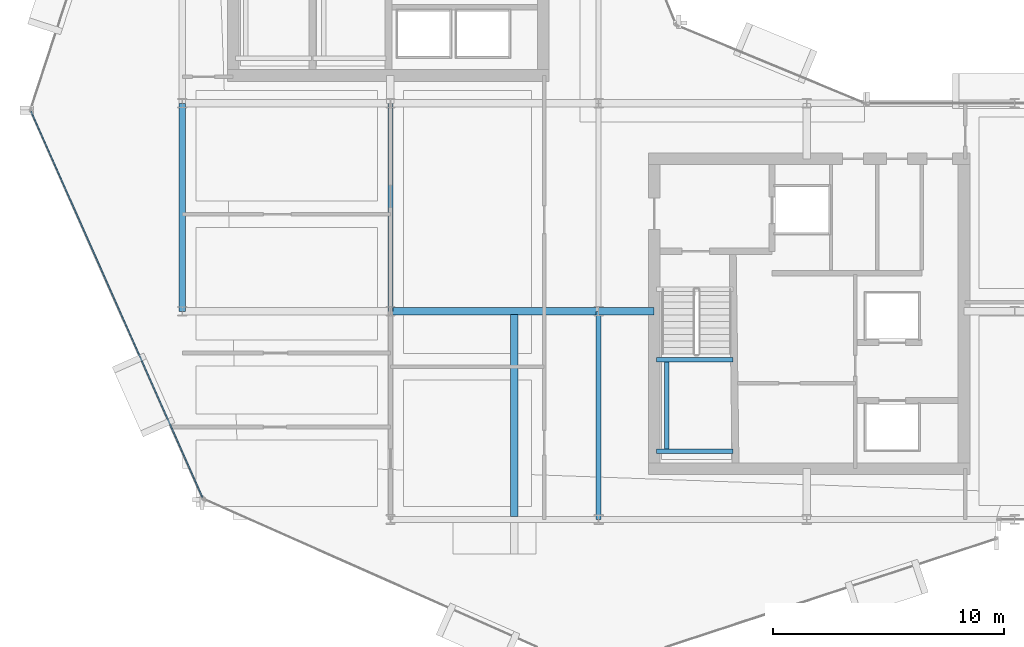
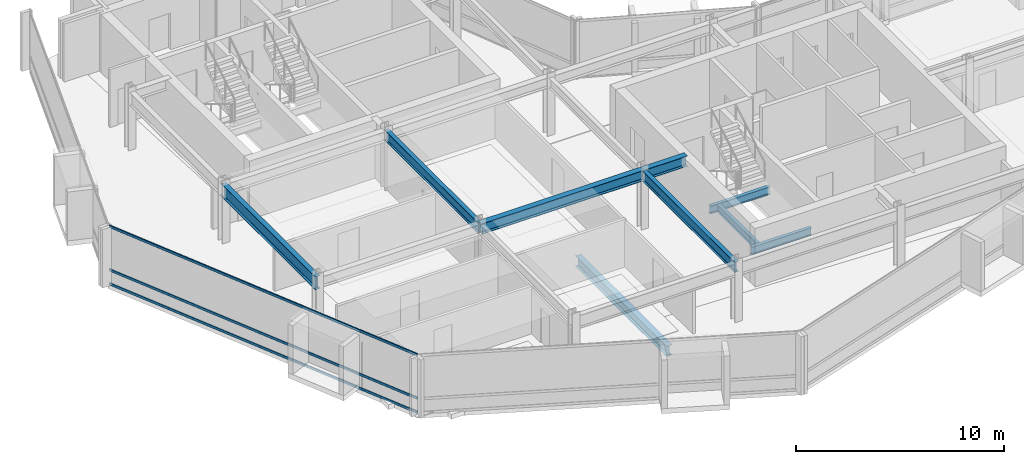
# One storey, part 5 of 27: 9 beams, 3 members, 1 element without a shape of its own.
"""IFC4 building model written with IfcOpenShell, lengths in metres."""

from ifc_helpers import new_model, si_unit, direction, frame, origin, origin_2d, place, context, subcontext, project, spatial, hollow_rectangle, i_section, extrude, material, layer, layer_set, material_profile, profile_set, type_object, element, aggregate, save


model = new_model("IFC4")

# Units and contexts
model_context = context("Model", 3, precision=1e-05, world=origin(), true_north=direction((0.0, 1.0)))
body_context = subcontext(model_context, "Body", "Model", "MODEL_VIEW")
ifc_project = project(units=[si_unit("LENGTHUNIT", "METRE"), si_unit("AREAUNIT", "SQUARE_METRE"), si_unit("VOLUMEUNIT", "CUBIC_METRE"), si_unit("PLANEANGLEUNIT", "RADIAN"), si_unit("MASSUNIT", "GRAM", prefix="KILO")], contexts=[model_context])

# Site, building, storey
site_placement = place(None, origin())
site = spatial("IfcSite", under=ifc_project, at=site_placement, CompositionType="ELEMENT")
building_placement = place(site_placement, origin())
building = spatial("IfcBuilding", under=site, at=building_placement, Name="Solvaryn Broadcast Tower", CompositionType="ELEMENT")
storey_placement = place(building_placement, frame((0.0, 0.0, 185.300048828125)))
storey = spatial("IfcBuildingStorey", under=building, at=storey_placement, Name="L46", CompositionType="ELEMENT", Elevation=185.300048828125)

# Beams
ifc_material_1 = material(Name="Steel ASTM A992 Grade 50", Category="steel")
ifc_material_profile_1 = material_profile(ifc_material_1, i_section(OverallWidth=0.323974609375, OverallDepth=0.611083984375, WebThickness=0.0126953125, FlangeThickness=0.01904296875, FilletRadius=0.014892578125, at=origin_2d()))
ifc_profile_set_1 = profile_set([ifc_material_profile_1], Name="Steel ASTM A992 Grade 50")
beam_type_1 = type_object("IfcBeamType", Name="BM-B1-W24X104", PredefinedType="BEAM", material=ifc_profile_set_1)
beam_1_placement = place(storey_placement, frame((23.35009765625, 17.875, -0.58544921875), z_axis=(0.0, -1.0, 0.0), x_axis=(1.0, 0.0, 0.0)))
element("IfcBeam", 1, at=beam_1_placement, inside=storey, type_object=beam_type_1, Name="L46 Bay-Box Back-Span Beam 1", PredefinedType="BEAM", context=body_context, shape_type="SweptSolid", body=[
    extrude(i_section(OverallWidth=0.323974609375, OverallDepth=0.611083984375, WebThickness=0.0126953125, FlangeThickness=0.01904296875, FilletRadius=0.014892578125, at=origin_2d()), origin(), (0.0, 0.0, 1.0), 8.75),
])
beam_2_placement = place(storey_placement, frame((18.0, 18.0, 3.114501953125), z_axis=(1.0, 0.0, 0.0), x_axis=(0.0, 1.0, 0.0)))
element("IfcBeam", 2, at=beam_2_placement, inside=storey, type_object=beam_type_1, Name="L46 Primary Beam X (18-27 @ Y=18)", PredefinedType="BEAM", context=body_context, shape_type="SweptSolid", body=[
    extrude(i_section(OverallWidth=0.323974609375, OverallDepth=0.611083984375, WebThickness=0.0126953125, FlangeThickness=0.01904296875, FilletRadius=0.014892578125, at=origin_2d()), origin(), (0.0, 0.0, 1.0), 9.0),
])
beam_3_placement = place(storey_placement, frame((27.0, 18.0, 3.114501953125), z_axis=(1.0, 0.0, 0.0), x_axis=(0.0, 1.0, 0.0)))
element("IfcBeam", 3, at=beam_3_placement, inside=storey, type_object=beam_type_1, Name="L46 Core Tie Beam CTE4", PredefinedType="BEAM", context=body_context, shape_type="SweptSolid", body=[
    extrude(i_section(OverallWidth=0.323974609375, OverallDepth=0.611083984375, WebThickness=0.0126953125, FlangeThickness=0.01904296875, FilletRadius=0.014892578125, at=origin_2d()), origin(), (0.0, 0.0, 1.0), 2.39990234375),
])
ifc_material_2 = material(Name="Steel ASTM A992 Grade 50", Category="steel")
ifc_material_profile_2 = material_profile(ifc_material_2, i_section(OverallWidth=0.22802734375, OverallDepth=0.60791015625, WebThickness=0.01123046875, FlangeThickness=0.017333984375, FilletRadius=0.014892578125, at=origin_2d()))
ifc_profile_set_2 = profile_set([ifc_material_profile_2], Name="Steel ASTM A992 Grade 50")
beam_type_2 = type_object("IfcBeamType", Name="BM-B2-W24X76", PredefinedType="BEAM", material=ifc_profile_set_2)
for number, where, z_axis, x_axis, name in (
    (4, (18.0, 18.0, 3.115966796875), (0.0, 1.0, 0.0), (-1.0, 0.0, 0.0), "L46 Primary Beam Y (18-27 @ X=18)"),
    (5, (27.0, 9.0, 3.115966796875), (0.0, 1.0, 0.0), (-1.0, 0.0, 0.0), "L46 Primary Beam Y (9-18 @ X=27)"),
):
    element("IfcBeam", number, at=place(storey_placement, frame(where, z_axis=z_axis, x_axis=x_axis)), inside=storey, type_object=beam_type_2, Name=name, PredefinedType="BEAM", context=body_context, shape_type="SweptSolid", body=[
        extrude(i_section(OverallWidth=0.22802734375, OverallDepth=0.60791015625, WebThickness=0.01123046875, FlangeThickness=0.017333984375, FilletRadius=0.014892578125, at=origin_2d()), origin(), (0.0, 0.0, 1.0), 9.0),
    ])
ifc_material_3 = material(Name="Steel ASTM A992 Grade 50", Category="steel")
ifc_material_profile_3 = material_profile(ifc_material_3, i_section(OverallWidth=0.18994140625, OverallDepth=0.45703125, WebThickness=0.009033203125, FlangeThickness=0.014404296875, FilletRadius=0.011962890625, at=origin_2d()))
ifc_profile_set_3 = profile_set([ifc_material_profile_3], Name="Steel ASTM A992 Grade 50")
beam_type_3 = type_object("IfcBeamType", Name="BM-B4-W18X50", PredefinedType="BEAM", material=ifc_profile_set_3)
for number, where, z_axis, x_axis, name in (
    (6, (29.5, 11.949951171875, 1.42138671875), (1.0, 0.0, 0.0), (0.0, 1.0, 0.0), "L46 ST3 Landing Support Beam 1A"),
    (7, (29.5, 15.909912109375, 1.42138671875), (1.0, 0.0, 0.0), (0.0, 1.0, 0.0), "L46 ST3 Landing Support Beam 1B"),
):
    element("IfcBeam", number, at=place(storey_placement, frame(where, z_axis=z_axis, x_axis=x_axis)), inside=storey, type_object=beam_type_3, Name=name, PredefinedType="BEAM", context=body_context, shape_type="SweptSolid", body=[
        extrude(i_section(OverallWidth=0.18994140625, OverallDepth=0.45703125, WebThickness=0.009033203125, FlangeThickness=0.014404296875, FilletRadius=0.011962890625, at=origin_2d()), origin(), (0.0, 0.0, 1.0), 3.320068359375),
    ])
beam_4_placement = place(storey_placement, frame((29.949951171875, 11.949951171875, 1.42138671875), z_axis=(0.0, 1.0, 0.0), x_axis=(-1.0, 0.0, 0.0)))
element("IfcBeam", 8, at=beam_4_placement, inside=storey, type_object=beam_type_3, Name="L46 ST3 Landing Cross Stringer 1C", PredefinedType="BEAM", context=body_context, shape_type="SweptSolid", body=[
    extrude(i_section(OverallWidth=0.18994140625, OverallDepth=0.45703125, WebThickness=0.009033203125, FlangeThickness=0.014404296875, FilletRadius=0.011962890625, at=origin_2d()), origin(), (0.0, 0.0, 1.0), 3.9599609375),
])
ifc_material_4 = material(Name="Steel ASTM A992 Grade 50", Category="steel")
ifc_material_profile_4 = material_profile(ifc_material_4, i_section(OverallWidth=0.26708984375, OverallDepth=0.76611328125, WebThickness=0.014892578125, FlangeThickness=0.023681640625, FilletRadius=0.01806640625, at=origin_2d()))
ifc_profile_set_4 = profile_set([ifc_material_profile_4], Name="Steel ASTM A992 Grade 50")
beam_type_4 = type_object("IfcBeamType", Name="BM-SP2-W30X124", PredefinedType="USERDEFINED", material=ifc_profile_set_4)
beam_5_placement = place(storey_placement, frame((9.0, 18.0, 3.036865234375), z_axis=(0.0, 1.0, 0.0), x_axis=(-1.0, 0.0, 0.0)))
element("IfcBeam", 9, at=beam_5_placement, inside=storey, type_object=beam_type_4, Name="L46 Spandrel Beam Y (18-27 @ X=9)", ObjectType="SPANDREL", PredefinedType="USERDEFINED", context=body_context, shape_type="SweptSolid", body=[
    extrude(i_section(OverallWidth=0.26708984375, OverallDepth=0.76611328125, WebThickness=0.014892578125, FlangeThickness=0.023681640625, FilletRadius=0.01806640625, at=origin_2d()), origin(), (0.0, 0.0, 1.0), 9.0),
])

# Curtain wall, members
ifc_material_5 = material(Name="Aluminium and Terracotta Unitised Curtain Wall", Category="masonry")
ifc_layer = layer(ifc_material_5, 0.239990234375)
ifc_layer_set = layer_set([ifc_layer], Name="CW-SYS3-BAYBOX")
curtain_wall_type = type_object("IfcCurtainWallType", Name="CW-SYS3-BAYBOX", PredefinedType="NOTDEFINED", material=ifc_layer_set)
curtain_wall_placement = place(storey_placement, origin())
curtain_wall = element("IfcCurtainWall", 10, at=curtain_wall_placement, inside=storey, type_object=curtain_wall_type, Name="L46 Curtain Wall DR2", PredefinedType="NOTDEFINED")
ifc_material_6 = material(Name="Anodised Aluminium 6063-T6", Category="aluminium")
ifc_material_profile_5 = material_profile(ifc_material_6, hollow_rectangle(XDim=0.06494140625, YDim=0.14990234375, WallThickness=0.00390625, InnerFilletRadius=0.00390625, OuterFilletRadius=0.008056640625, at=origin_2d()))
ifc_profile_set_5 = profile_set([ifc_material_profile_5], Name="Anodised Aluminium 6063-T6")
member_type = type_object("IfcMemberType", Name="CW-TRN-150", PredefinedType="USERDEFINED", material=ifc_profile_set_5)
member_1_placement = place(storey_placement, frame((2.457275390625, 26.651123046875, 0.030029296875), z_axis=(0.405901653299, -0.913916761992, 0.0), x_axis=(0.913916761992, 0.405901653299, 0.0)))
member_1 = element("IfcMember", 11, at=member_1_placement, type_object=member_type, Name="CWS3 transom 1.1", ObjectType="TRANSOM", PredefinedType="USERDEFINED", context=body_context, shape_type="SweptSolid", body=[
    extrude(hollow_rectangle(XDim=0.06494140625, YDim=0.14990234375, WallThickness=0.00390625, InnerFilletRadius=0.00390625, OuterFilletRadius=0.008056640625, at=origin_2d()), origin(), (0.0, 0.0, 1.0), 18.27099609375),
])
member_2_placement = place(storey_placement, frame((2.457275390625, 26.651123046875, 0.849853515625), z_axis=(0.405901653299, -0.913916761992, 0.0), x_axis=(0.913916761992, 0.405901653299, 0.0)))
member_2 = element("IfcMember", 12, at=member_2_placement, type_object=member_type, Name="CWS3 transom 1.2", ObjectType="TRANSOM", PredefinedType="USERDEFINED", context=body_context, shape_type="SweptSolid", body=[
    extrude(hollow_rectangle(XDim=0.06494140625, YDim=0.14990234375, WallThickness=0.00390625, InnerFilletRadius=0.00390625, OuterFilletRadius=0.008056640625, at=origin_2d()), origin(), (0.0, 0.0, 1.0), 18.27099609375),
])
member_3_placement = place(storey_placement, frame((2.457275390625, 26.651123046875, 3.389892578125), z_axis=(0.405901653299, -0.913916761992, 0.0), x_axis=(0.913916761992, 0.405901653299, 0.0)))
member_3 = element("IfcMember", 13, at=member_3_placement, type_object=member_type, Name="CWS3 transom 1.3", ObjectType="TRANSOM", PredefinedType="USERDEFINED", context=body_context, shape_type="SweptSolid", body=[
    extrude(hollow_rectangle(XDim=0.06494140625, YDim=0.14990234375, WallThickness=0.00390625, InnerFilletRadius=0.00390625, OuterFilletRadius=0.008056640625, at=origin_2d()), origin(), (0.0, 0.0, 1.0), 18.27099609375),
])
aggregate(curtain_wall, [member_1, member_2, member_3])

save(model, "model.ifc")
